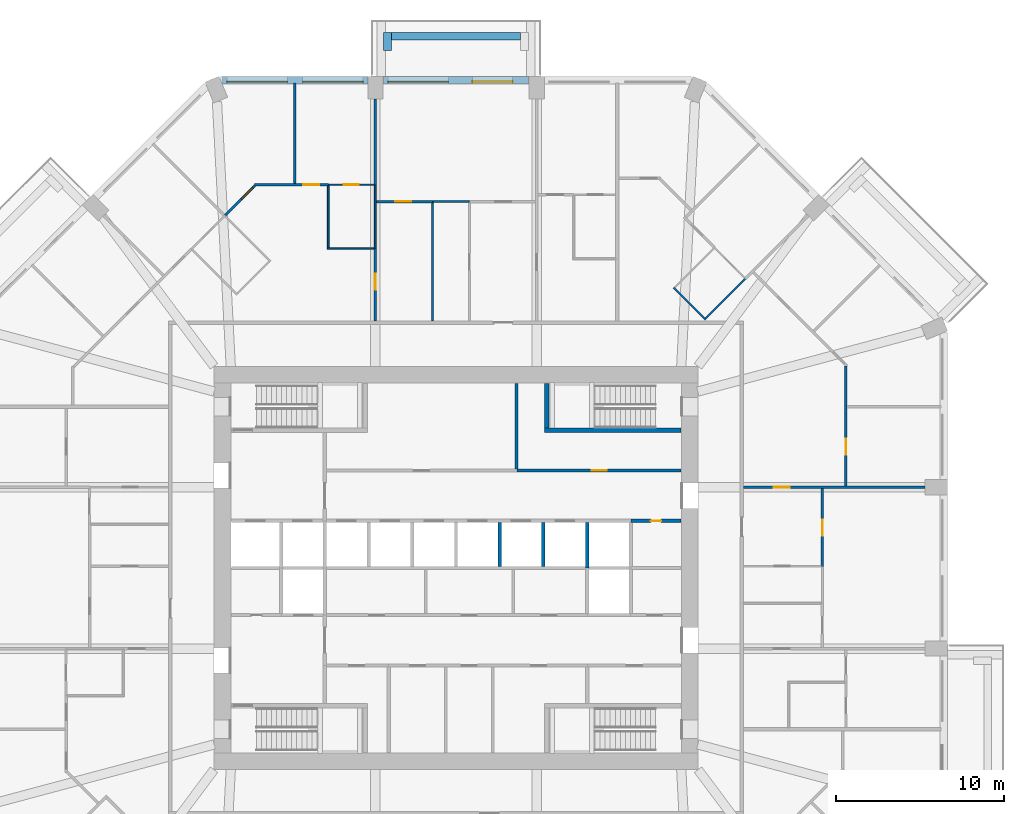
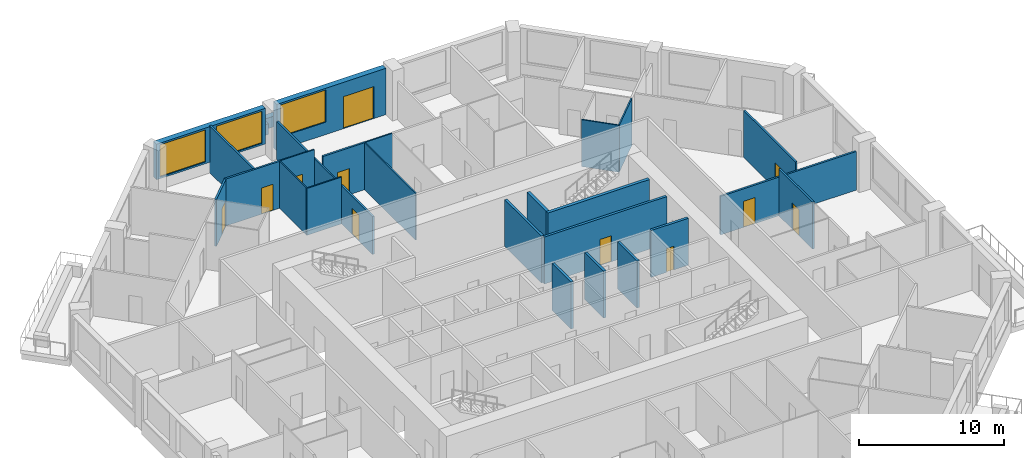
# One storey, part 9 of 13: 29 walls, 11 doors, 3 windows, 14 openings.
"""IFC4 building model written with IfcOpenShell, lengths in metres."""

from ifc_helpers import new_model, si_unit, direction, frame, frame_2d, origin, place, context, subcontext, project, spatial, rectangle, extrude, material, layer, layer_set, type_object, element, fill, save


model = new_model("IFC4")

# Units and contexts
model_context = context("Model", 3, precision=1e-05, world=origin(), true_north=direction((0.0, 1.0)))
body_context = subcontext(model_context, "Body", "Model", "MODEL_VIEW")
ifc_project = project(units=[si_unit("LENGTHUNIT", "METRE"), si_unit("AREAUNIT", "SQUARE_METRE"), si_unit("VOLUMEUNIT", "CUBIC_METRE"), si_unit("PLANEANGLEUNIT", "RADIAN"), si_unit("MASSUNIT", "GRAM", prefix="KILO")], contexts=[model_context])

# Site, building, storey
site_placement = place(None, origin())
site = spatial("IfcSite", under=ifc_project, at=site_placement, CompositionType="ELEMENT")
building_placement = place(site_placement, origin())
building = spatial("IfcBuilding", under=site, at=building_placement, Name="Msitu Wima Residences", CompositionType="ELEMENT")
storey_placement = place(building_placement, frame((0.0, 0.0, 54.89990234375)))
storey = spatial("IfcBuildingStorey", under=building, at=storey_placement, Name="L12", CompositionType="ELEMENT", Elevation=54.89990234375)

# Walls
ifc_material_1 = material(Name="Facing brick")
ifc_layer_1 = layer(ifc_material_1, 0.06494140625, Name="Facing brick")
ifc_material_2 = material(Name="Concrete C40/50", Category="concrete")
ifc_layer_2 = layer(ifc_material_2, 0.156005859375, Name="Concrete C40/50")
ifc_material_3 = material(Name="Waterproofing membrane")
ifc_layer_3 = layer(ifc_material_3, 0.00390625, Name="Waterproofing membrane")
ifc_material_4 = material(Name="Planting soil and planting")
ifc_layer_4 = layer(ifc_material_4, 0.22509765625, Name="Planting soil and planting")
ifc_layer_set_1 = layer_set([ifc_layer_1, ifc_layer_2, ifc_layer_3, ifc_layer_4], Name="Concrete C40/50")
wall_type_1 = type_object("IfcWallType", Name="Balcony planter PLANTER PL450", PredefinedType="USERDEFINED", material=ifc_layer_set_1)
wall_1_placement = place(storey_placement, frame((3.85009765625, 31.625, 0.0), z_axis=(0.0, 0.0, 1.0), x_axis=(-1.0, 0.0, 0.0)))
element("IfcWall", 1, at=wall_1_placement, inside=storey, type_object=wall_type_1, Name="Balcony planter N1 L12", ObjectType="PLANTER", PredefinedType="USERDEFINED", context=body_context, shape_type="SweptSolid", body=[
    extrude(rectangle(XDim=7.7001953125, YDim=0.449951171875, at=frame_2d((3.85009765625, 0.0))), origin(), (0.0, 0.0, 1.0), 0.900146484375),
])
wall_2_placement = place(storey_placement, frame((-4.074951171875, 30.800048828125, 0.0), z_axis=(0.0, 0.0, 1.0), x_axis=(0.0, 1.0, 0.0)))
element("IfcWall", 2, at=wall_2_placement, inside=storey, type_object=wall_type_1, Name="Balcony planter N1 L12", ObjectType="PLANTER", PredefinedType="USERDEFINED", context=body_context, shape_type="SweptSolid", body=[
    extrude(rectangle(XDim=1.050048828125, YDim=0.449951171875, at=frame_2d((0.52490234375, 0.0))), origin(), (0.0, 0.0, 1.0), 0.900146484375),
])

# Wall, openings, door, window
ifc_material_5 = material(Name="Brick (red buff mix)", Category="masonry")
ifc_layer_5 = layer(ifc_material_5, 0.449951171875)
ifc_layer_set_2 = layer_set([ifc_layer_5], Name="Brick (red buff mix)")
wall_type_2 = type_object("IfcWallType", Name="Brick infill wall BW450", PredefinedType="SOLIDWALL", material=ifc_layer_set_2)
wall_3_placement = place(storey_placement, frame((4.35009765625, 29.02490234375, 0.0), z_axis=(0.0, 0.0, 1.0), x_axis=(-1.0, 0.0, 0.0)))
wall_3 = element("IfcWall", 3, at=wall_3_placement, inside=storey, type_object=wall_type_2, Name="Brick infill wall L12 N1", PredefinedType="SOLIDWALL", context=body_context, shape_type="SweptSolid", body=[
    extrude(rectangle(XDim=8.7001953125, YDim=0.449951171875, at=frame_2d((4.35009765625, 0.0))), origin(), (0.0, 0.0, 1.0), 3.900146484375),
])
opening_1_placement = place(wall_3_placement, frame((0.97509765625, 0.0, 0.0)))
opening_1 = element("IfcOpeningElement", 4, at=opening_1_placement, cuts=wall_3, Name="Opening D11-12.002", PredefinedType="OPENING", context=body_context, shape_type="SweptSolid", body=[
    extrude(rectangle(XDim=2.39990234375, YDim=2.699951171875, at=frame_2d((1.199951171875, 1.35009765625))), frame((0.0, 0.23486328125, 0.0), z_axis=(0.0, -1.0, 0.0), x_axis=(1.0, 0.0, 0.0)), (0.0, 0.0, 1.0), 0.469970703125),
])
opening_2_placement = place(wall_3_placement, frame((4.800048828125, 0.0, 1.050048828125)))
opening_2 = element("IfcOpeningElement", 5, at=opening_2_placement, cuts=wall_3, Name="Opening W11-12.008", PredefinedType="OPENING", context=body_context, shape_type="SweptSolid", body=[
    extrude(rectangle(XDim=3.60009765625, YDim=2.699951171875, at=frame_2d((1.800048828125, 1.35009765625))), frame((0.0, 0.23486328125, 0.0), z_axis=(0.0, -1.0, 0.0), x_axis=(1.0, 0.0, 0.0)), (0.0, 0.0, 1.0), 0.469970703125),
])
ifc_material_6 = material(Name="Anodised aluminium, bronze finish, clear low-emissivity double glazing", Category="aluminium")
door_type_1 = type_object("IfcDoorType", Name="Balcony door D2400x2700", OperationType="SLIDING_TO_LEFT", PredefinedType="DOOR", material=ifc_material_6)
door_1_placement = place(opening_1_placement, origin())
door_1 = element("IfcDoor", 6, at=door_1_placement, inside=storey, type_object=door_type_1, Name="Balcony door L12 N1", OperationType="SINGLE_SWING_LEFT", OverallHeight=2.699951171875, OverallWidth=2.39990234375, PredefinedType="DOOR", context=body_context, shape_type="SweptSolid", body=[
    extrude(rectangle(XDim=2.39990234375, YDim=2.699951171875, at=frame_2d((1.199951171875, 1.35009765625))), frame((0.0, 0.1298828125, 0.0), z_axis=(0.0, -1.0, 0.0), x_axis=(1.0, 0.0, 0.0)), (0.0, 0.0, 1.0), 0.050048828125),
])
fill(opening_1, door_1)
window_type = type_object("IfcWindowType", Name="Window W3600x2700", PartitioningType="DOUBLE_PANEL_VERTICAL", PredefinedType="WINDOW", material=ifc_material_6)
window_1_placement = place(opening_2_placement, origin())
window_1 = element("IfcWindow", 7, at=window_1_placement, inside=storey, type_object=window_type, Name="Window L12 N1.2", OverallHeight=2.699951171875, OverallWidth=3.60009765625, PartitioningType="SINGLE_PANEL", PredefinedType="WINDOW", context=body_context, shape_type="SweptSolid", body=[
    extrude(rectangle(XDim=3.60009765625, YDim=2.699951171875, at=frame_2d((1.800048828125, 1.35009765625))), frame((0.0, 0.135009765625, 0.0), z_axis=(0.0, -1.0, 0.0), x_axis=(1.0, 0.0, 0.0)), (0.0, 0.0, 1.0), 0.06005859375),
])
fill(opening_2, window_1)

# Wall, openings, windows
wall_4_placement = place(storey_placement, frame((-5.25, 29.02490234375, 0.900146484375), z_axis=(0.0, 0.0, 1.0), x_axis=(-1.0, 0.0, 0.0)))
wall_4 = element("IfcWall", 8, at=wall_4_placement, inside=storey, type_object=wall_type_2, Name="Brick infill wall L12 N2", PredefinedType="SOLIDWALL", context=body_context, shape_type="SweptSolid", body=[
    extrude(rectangle(XDim=8.662841796875, YDim=0.449951171875, at=frame_2d((4.33154296875, 0.0))), origin(), (0.0, 0.0, 1.0), 3.0),
])
opening_3_placement = place(wall_4_placement, frame((0.281494140625, 0.0, 0.14990234375)))
opening_3 = element("IfcOpeningElement", 9, at=opening_3_placement, cuts=wall_4, Name="Opening W11-12.009", PredefinedType="OPENING", context=body_context, shape_type="SweptSolid", body=[
    extrude(rectangle(XDim=3.60009765625, YDim=2.699951171875, at=frame_2d((1.800048828125, 1.35009765625))), frame((0.0, 0.23486328125, 0.0), z_axis=(0.0, -1.0, 0.0), x_axis=(1.0, 0.0, 0.0)), (0.0, 0.0, 1.0), 0.469970703125),
])
opening_4_placement = place(wall_4_placement, frame((4.781494140625, 0.0, 0.14990234375)))
opening_4 = element("IfcOpeningElement", 10, at=opening_4_placement, cuts=wall_4, Name="Opening W11-12.010", PredefinedType="OPENING", context=body_context, shape_type="SweptSolid", body=[
    extrude(rectangle(XDim=3.60009765625, YDim=2.699951171875, at=frame_2d((1.800048828125, 1.35009765625))), frame((0.0, 0.23486328125, 0.0), z_axis=(0.0, -1.0, 0.0), x_axis=(1.0, 0.0, 0.0)), (0.0, 0.0, 1.0), 0.469970703125),
])
window_2_placement = place(opening_3_placement, origin())
window_2 = element("IfcWindow", 11, at=window_2_placement, inside=storey, type_object=window_type, Name="Window L12 N2.1", OverallHeight=2.699951171875, OverallWidth=3.60009765625, PartitioningType="SINGLE_PANEL", PredefinedType="WINDOW", context=body_context, shape_type="SweptSolid", body=[
    extrude(rectangle(XDim=3.60009765625, YDim=2.699951171875, at=frame_2d((1.800048828125, 1.35009765625))), frame((0.0, 0.135009765625, 0.0), z_axis=(0.0, -1.0, 0.0), x_axis=(1.0, 0.0, 0.0)), (0.0, 0.0, 1.0), 0.06005859375),
])
fill(opening_3, window_2)
window_3_placement = place(opening_4_placement, origin())
window_3 = element("IfcWindow", 12, at=window_3_placement, inside=storey, type_object=window_type, Name="Window L12 N2.2", OverallHeight=2.699951171875, OverallWidth=3.60009765625, PartitioningType="SINGLE_PANEL", PredefinedType="WINDOW", context=body_context, shape_type="SweptSolid", body=[
    extrude(rectangle(XDim=3.60009765625, YDim=2.699951171875, at=frame_2d((1.800048828125, 1.35009765625))), frame((0.0, 0.135009765625, 0.0), z_axis=(0.0, -1.0, 0.0), x_axis=(1.0, 0.0, 0.0)), (0.0, 0.0, 1.0), 0.06005859375),
])
fill(opening_4, window_3)

# Wall, opening, door
ifc_material_7 = material(Name="Plaster")
ifc_layer_6 = layer(ifc_material_7, 0.011962890625, Name="Plaster")
ifc_material_8 = material(Name="Concrete blockwork", Category="masonry")
ifc_layer_7 = layer(ifc_material_8, 0.1259765625, Name="Concrete blockwork")
ifc_layer_8 = layer(ifc_material_7, 0.011962890625, Name="Plaster")
ifc_layer_set_3 = layer_set([ifc_layer_6, ifc_layer_7, ifc_layer_8], Name="Concrete blockwork")
wall_type_3 = type_object("IfcWallType", Name="Partition PW150", PredefinedType="PARTITIONING", material=ifc_layer_set_3)
wall_5_placement = place(storey_placement, frame((-13.7431640625, 20.971435546875, 0.0), z_axis=(0.0, 0.0, 1.0), x_axis=(0.707058164405, 0.707155394626, 0.0)))
wall_5 = element("IfcWall", 13, at=wall_5_placement, inside=storey, type_object=wall_type_3, Name="Partition", PredefinedType="PARTITIONING", context=body_context, shape_type="SweptSolid", body=[
    extrude(rectangle(XDim=2.510986328125, YDim=0.14990234375, at=frame_2d((1.25537109375, 0.0))), origin(), (0.0, 0.0, 1.0), 3.9501953125),
])
opening_5_placement = place(wall_5_placement, frame((1.39990234375, 0.0, 0.0)))
opening_5 = element("IfcOpeningElement", 14, at=opening_5_placement, cuts=wall_5, Name="Opening D11-12.056", PredefinedType="OPENING", context=body_context, shape_type="SweptSolid", body=[
    extrude(rectangle(XDim=0.949951171875, YDim=2.199951171875, at=frame_2d((0.47509765625, 1.10009765625))), frame((0.0, 0.0849609375, 0.0), z_axis=(0.0, -1.0, 0.0), x_axis=(1.0, 0.0, 0.0)), (0.0, 0.0, 1.0), 0.169921875),
])
ifc_material_9 = material(Name="Timber flush door", Category="wood")
door_type_2 = type_object("IfcDoorType", Name="Room door D12 950x2200", OperationType="SINGLE_SWING_LEFT", PredefinedType="DOOR", material=ifc_material_9)
door_2_placement = place(opening_5_placement, origin())
door_2 = element("IfcDoor", 15, at=door_2_placement, inside=storey, type_object=door_type_2, Name="Room door", OperationType="SINGLE_SWING_LEFT", OverallHeight=2.199951171875, OverallWidth=0.949951171875, PredefinedType="DOOR", context=body_context, shape_type="SweptSolid", body=[
    extrude(rectangle(XDim=0.949951171875, YDim=2.199951171875, at=frame_2d((0.47509765625, 1.10009765625))), frame((0.0, 0.02490234375, 0.0), z_axis=(0.0, -1.0, 0.0), x_axis=(1.0, 0.0, 0.0)), (0.0, 0.0, 1.0), 0.050048828125),
])
fill(opening_5, door_2)

wall_6_placement = place(storey_placement, frame((-11.98974609375, 22.800048828125, 0.0), z_axis=(0.0, 0.0, 1.0), x_axis=(1.0, 0.0, 0.0)))
wall_6 = element("IfcWall", 16, at=wall_6_placement, inside=storey, type_object=wall_type_3, Name="Partition", PredefinedType="PARTITIONING", context=body_context, shape_type="SweptSolid", body=[
    extrude(rectangle(XDim=4.40966796875, YDim=0.14990234375, at=frame_2d((2.204833984375, 0.0))), origin(), (0.0, 0.0, 1.0), 3.9501953125),
])
opening_6_placement = place(wall_6_placement, frame((2.89990234375, 0.0, 0.0)))
opening_6 = element("IfcOpeningElement", 17, at=opening_6_placement, cuts=wall_6, Name="Opening D11-12.053", PredefinedType="OPENING", context=body_context, shape_type="SweptSolid", body=[
    extrude(rectangle(XDim=0.949951171875, YDim=2.199951171875, at=frame_2d((0.47509765625, 1.10009765625))), frame((0.0, 0.0849609375, 0.0), z_axis=(0.0, -1.0, 0.0), x_axis=(1.0, 0.0, 0.0)), (0.0, 0.0, 1.0), 0.169921875),
])
door_3_placement = place(opening_6_placement, origin())
door_3 = element("IfcDoor", 18, at=door_3_placement, inside=storey, type_object=door_type_2, Name="Room door", OperationType="SINGLE_SWING_LEFT", OverallHeight=2.199951171875, OverallWidth=0.949951171875, PredefinedType="DOOR", context=body_context, shape_type="SweptSolid", body=[
    extrude(rectangle(XDim=0.949951171875, YDim=2.199951171875, at=frame_2d((0.47509765625, 1.10009765625))), frame((0.0, 0.02490234375, 0.0), z_axis=(0.0, -1.0, 0.0), x_axis=(1.0, 0.0, 0.0)), (0.0, 0.0, 1.0), 0.050048828125),
])
fill(opening_6, door_3)

# Wall
wall_7_placement = place(storey_placement, frame((-9.60009765625, 22.875, 0.0), z_axis=(0.0, 0.0, 1.0), x_axis=(0.0, 1.0, 0.0)))
element("IfcWall", 19, at=wall_7_placement, inside=storey, type_object=wall_type_3, Name="Partition", PredefinedType="PARTITIONING", context=body_context, shape_type="SweptSolid", body=[
    extrude(rectangle(XDim=5.97998046875, YDim=0.14990234375, at=frame_2d((2.989990234375, 0.0))), origin(), (0.0, 0.0, 1.0), 3.9501953125),
])

# Wall, opening, door
wall_8_placement = place(storey_placement, frame((-4.800048828125, 14.699951171875, 0.0), z_axis=(0.0, 0.0, 1.0), x_axis=(0.0, 1.0, 0.0)))
wall_8 = element("IfcWall", 20, at=wall_8_placement, inside=storey, type_object=wall_type_3, Name="Partition", PredefinedType="PARTITIONING", context=body_context, shape_type="SweptSolid", body=[
    extrude(rectangle(XDim=4.320068359375, YDim=0.14990234375, at=frame_2d((2.16015625, 0.0))), origin(), (0.0, 0.0, 1.0), 3.2001953125),
])
opening_7_placement = place(wall_8_placement, frame((1.85009765625, 0.0, 0.0)))
opening_7 = element("IfcOpeningElement", 21, at=opening_7_placement, cuts=wall_8, Name="Opening D11-12.049", PredefinedType="OPENING", context=body_context, shape_type="SweptSolid", body=[
    extrude(rectangle(XDim=0.949951171875, YDim=2.199951171875, at=frame_2d((0.47509765625, 1.10009765625))), frame((0.0, 0.0849609375, 0.0), z_axis=(0.0, -1.0, 0.0), x_axis=(1.0, 0.0, 0.0)), (0.0, 0.0, 1.0), 0.169921875),
])
door_4_placement = place(opening_7_placement, origin())
door_4 = element("IfcDoor", 22, at=door_4_placement, inside=storey, type_object=door_type_2, Name="Room door", OperationType="SINGLE_SWING_RIGHT", OverallHeight=2.199951171875, OverallWidth=0.949951171875, PredefinedType="DOOR", context=body_context, shape_type="SweptSolid", body=[
    extrude(rectangle(XDim=0.949951171875, YDim=2.199951171875, at=frame_2d((0.47509765625, 1.10009765625))), frame((0.0, 0.02490234375, 0.0), z_axis=(0.0, -1.0, 0.0), x_axis=(1.0, 0.0, 0.0)), (0.0, 0.0, 1.0), 0.050048828125),
])
fill(opening_7, door_4)

wall_9_placement = place(storey_placement, frame((-4.75, 21.800048828125, 0.0), z_axis=(0.0, 0.0, 1.0), x_axis=(1.0, 0.0, 0.0)))
wall_9 = element("IfcWall", 23, at=wall_9_placement, inside=storey, type_object=wall_type_3, Name="Partition", PredefinedType="PARTITIONING", context=body_context, shape_type="SweptSolid", body=[
    extrude(rectangle(XDim=3.3701171875, YDim=0.14990234375, at=frame_2d((1.68505859375, 0.0))), origin(), (0.0, 0.0, 1.0), 3.9501953125),
])
opening_8_placement = place(wall_9_placement, frame((1.14990234375, 0.0, 0.0)))
opening_8 = element("IfcOpeningElement", 24, at=opening_8_placement, cuts=wall_9, Name="Opening D11-12.047", PredefinedType="OPENING", context=body_context, shape_type="SweptSolid", body=[
    extrude(rectangle(XDim=0.949951171875, YDim=2.199951171875, at=frame_2d((0.47509765625, 1.10009765625))), frame((0.0, 0.0849609375, 0.0), z_axis=(0.0, -1.0, 0.0), x_axis=(1.0, 0.0, 0.0)), (0.0, 0.0, 1.0), 0.169921875),
])
door_5_placement = place(opening_8_placement, origin())
door_5 = element("IfcDoor", 25, at=door_5_placement, inside=storey, type_object=door_type_2, Name="Room door", OperationType="SINGLE_SWING_LEFT", OverallHeight=2.199951171875, OverallWidth=0.949951171875, PredefinedType="DOOR", context=body_context, shape_type="SweptSolid", body=[
    extrude(rectangle(XDim=0.949951171875, YDim=2.199951171875, at=frame_2d((0.47509765625, 1.10009765625))), frame((0.0, 0.02490234375, 0.0), z_axis=(0.0, -1.0, 0.0), x_axis=(1.0, 0.0, 0.0)), (0.0, 0.0, 1.0), 0.050048828125),
])
fill(opening_8, door_5)

# Wall
wall_10_placement = place(storey_placement, frame((-4.800048828125, 22.780029296875, 0.0), z_axis=(0.0, 0.0, 1.0), x_axis=(0.0, 1.0, 0.0)))
element("IfcWall", 26, at=wall_10_placement, inside=storey, type_object=wall_type_3, Name="Partition", PredefinedType="PARTITIONING", context=body_context, shape_type="SweptSolid", body=[
    extrude(rectangle(XDim=5.119873046875, YDim=0.14990234375, at=frame_2d((2.56005859375, 0.0))), origin(), (0.0, 0.0, 1.0), 3.2001953125),
])

# Wall, opening, door
wall_11_placement = place(storey_placement, frame((17.10009765625, 4.800048828125, 0.0), z_axis=(0.0, 0.0, 1.0), x_axis=(1.0, 0.0, 0.0)))
wall_11 = element("IfcWall", 27, at=wall_11_placement, inside=storey, type_object=wall_type_3, Name="Partition", PredefinedType="PARTITIONING", context=body_context, shape_type="SweptSolid", body=[
    extrude(rectangle(XDim=10.7998046875, YDim=0.14990234375, at=frame_2d((5.39990234375, 0.0))), origin(), (0.0, 0.0, 1.0), 3.25),
])
opening_9_placement = place(wall_11_placement, frame((1.800048828125, 0.0, 0.0)))
opening_9 = element("IfcOpeningElement", 28, at=opening_9_placement, cuts=wall_11, Name="Opening D11-12.059", PredefinedType="OPENING", context=body_context, shape_type="SweptSolid", body=[
    extrude(rectangle(XDim=0.949951171875, YDim=2.199951171875, at=frame_2d((0.47509765625, 1.10009765625))), frame((0.0, 0.0849609375, 0.0), z_axis=(0.0, -1.0, 0.0), x_axis=(1.0, 0.0, 0.0)), (0.0, 0.0, 1.0), 0.169921875),
])
door_6_placement = place(opening_9_placement, origin())
door_6 = element("IfcDoor", 29, at=door_6_placement, inside=storey, type_object=door_type_2, Name="Room door", OperationType="SINGLE_SWING_LEFT", OverallHeight=2.199951171875, OverallWidth=0.949951171875, PredefinedType="DOOR", context=body_context, shape_type="SweptSolid", body=[
    extrude(rectangle(XDim=0.949951171875, YDim=2.199951171875, at=frame_2d((0.47509765625, 1.10009765625))), frame((0.0, 0.02490234375, 0.0), z_axis=(0.0, -1.0, 0.0), x_axis=(1.0, 0.0, 0.0)), (0.0, 0.0, 1.0), 0.050048828125),
])
fill(opening_9, door_6)

wall_12_placement = place(storey_placement, frame((21.800048828125, 0.080078125, 0.0), z_axis=(0.0, 0.0, 1.0), x_axis=(0.0, 1.0, 0.0)))
wall_12 = element("IfcWall", 30, at=wall_12_placement, inside=storey, type_object=wall_type_3, Name="Partition", PredefinedType="PARTITIONING", context=body_context, shape_type="SweptSolid", body=[
    extrude(rectangle(XDim=4.64501953125, YDim=0.14990234375, at=frame_2d((2.322509765625, 0.0))), origin(), (0.0, 0.0, 1.0), 3.9501953125),
])
opening_10_placement = place(wall_12_placement, frame((1.85009765625, 0.0, 0.0)))
opening_10 = element("IfcOpeningElement", 31, at=opening_10_placement, cuts=wall_12, Name="Opening D11-12.037", PredefinedType="OPENING", context=body_context, shape_type="SweptSolid", body=[
    extrude(rectangle(XDim=0.949951171875, YDim=2.199951171875, at=frame_2d((0.47509765625, 1.10009765625))), frame((0.0, 0.0849609375, 0.0), z_axis=(0.0, -1.0, 0.0), x_axis=(1.0, 0.0, 0.0)), (0.0, 0.0, 1.0), 0.169921875),
])
door_7_placement = place(opening_10_placement, origin())
door_7 = element("IfcDoor", 32, at=door_7_placement, inside=storey, type_object=door_type_2, Name="Room door", OperationType="SINGLE_SWING_LEFT", OverallHeight=2.199951171875, OverallWidth=0.949951171875, PredefinedType="DOOR", context=body_context, shape_type="SweptSolid", body=[
    extrude(rectangle(XDim=0.949951171875, YDim=2.199951171875, at=frame_2d((0.47509765625, 1.10009765625))), frame((0.0, 0.02490234375, 0.0), z_axis=(0.0, -1.0, 0.0), x_axis=(1.0, 0.0, 0.0)), (0.0, 0.0, 1.0), 0.050048828125),
])
fill(opening_10, door_7)

wall_13_placement = place(storey_placement, frame((23.199951171875, 4.875, 0.0), z_axis=(0.0, 0.0, 1.0), x_axis=(0.0, 1.0, 0.0)))
wall_13 = element("IfcWall", 33, at=wall_13_placement, inside=storey, type_object=wall_type_3, Name="Partition", PredefinedType="PARTITIONING", context=body_context, shape_type="SweptSolid", body=[
    extrude(rectangle(XDim=7.13037109375, YDim=0.14990234375, at=frame_2d((3.565185546875, 0.0))), origin(), (0.0, 0.0, 1.0), 3.9501953125),
])
opening_11_placement = place(wall_13_placement, frame((1.85009765625, 0.0, 0.0)))
opening_11 = element("IfcOpeningElement", 34, at=opening_11_placement, cuts=wall_13, Name="Opening D11-12.070", PredefinedType="OPENING", context=body_context, shape_type="SweptSolid", body=[
    extrude(rectangle(XDim=0.949951171875, YDim=2.199951171875, at=frame_2d((0.47509765625, 1.10009765625))), frame((0.0, 0.0849609375, 0.0), z_axis=(0.0, -1.0, 0.0), x_axis=(1.0, 0.0, 0.0)), (0.0, 0.0, 1.0), 0.169921875),
])
door_8_placement = place(opening_11_placement, origin())
door_8 = element("IfcDoor", 35, at=door_8_placement, inside=storey, type_object=door_type_2, Name="Room door", OperationType="SINGLE_SWING_RIGHT", OverallHeight=2.199951171875, OverallWidth=0.949951171875, PredefinedType="DOOR", context=body_context, shape_type="SweptSolid", body=[
    extrude(rectangle(XDim=0.949951171875, YDim=2.199951171875, at=frame_2d((0.47509765625, 1.10009765625))), frame((0.0, 0.02490234375, 0.0), z_axis=(0.0, -1.0, 0.0), x_axis=(1.0, 0.0, 0.0)), (0.0, 0.0, 1.0), 0.050048828125),
])
fill(opening_11, door_8)

ifc_layer_9 = layer(ifc_material_7, 0.011962890625, Name="Plaster")
ifc_material_10 = material(Name="Reinforced concrete blockwork", Category="masonry")
ifc_layer_10 = layer(ifc_material_10, 0.176025390625, Name="Reinforced concrete blockwork")
ifc_layer_11 = layer(ifc_material_7, 0.011962890625, Name="Plaster")
ifc_layer_set_4 = layer_set([ifc_layer_9, ifc_layer_10, ifc_layer_11], Name="Reinforced concrete blockwork")
wall_type_4 = type_object("IfcWallType", Name="Plant and riser wall PL200", PredefinedType="PARTITIONING", material=ifc_layer_set_4)
wall_14_placement = place(storey_placement, frame((3.6201171875, 5.800048828125, 0.0), z_axis=(0.0, 0.0, 1.0), x_axis=(1.0, 0.0, 0.0)))
wall_14 = element("IfcWall", 36, at=wall_14_placement, inside=storey, type_object=wall_type_4, Name="Plant and riser wall", PredefinedType="PARTITIONING", context=body_context, shape_type="SweptSolid", body=[
    extrude(rectangle(XDim=9.75, YDim=0.199951171875, at=frame_2d((4.875, 0.0))), origin(), (0.0, 0.0, 1.0), 3.9501953125),
])
opening_12_placement = place(wall_14_placement, frame((4.449951171875, 0.0, 0.0)))
opening_12 = element("IfcOpeningElement", 37, at=opening_12_placement, cuts=wall_14, Name="Opening D11-12.018", PredefinedType="OPENING", context=body_context, shape_type="SweptSolid", body=[
    extrude(rectangle(XDim=0.89990234375, YDim=2.199951171875, at=frame_2d((0.449951171875, 1.10009765625))), frame((0.0, 0.10986328125, 0.0), z_axis=(0.0, -1.0, 0.0), x_axis=(1.0, 0.0, 0.0)), (0.0, 0.0, 1.0), 0.219970703125),
])
door_type_3 = type_object("IfcDoorType", Name="Service door D05 900x2200", OperationType="SINGLE_SWING_LEFT", PredefinedType="DOOR", material=ifc_material_9)
door_9_placement = place(opening_12_placement, origin())
door_9 = element("IfcDoor", 38, at=door_9_placement, inside=storey, type_object=door_type_3, Name="Service door", OperationType="SINGLE_SWING_RIGHT", OverallHeight=2.199951171875, OverallWidth=0.89990234375, PredefinedType="DOOR", context=body_context, shape_type="SweptSolid", body=[
    extrude(rectangle(XDim=0.89990234375, YDim=2.199951171875, at=frame_2d((0.449951171875, 1.10009765625))), frame((0.0, 0.02490234375, 0.0), z_axis=(0.0, -1.0, 0.0), x_axis=(1.0, 0.0, 0.0)), (0.0, 0.0, 1.0), 0.050048828125),
])
fill(opening_12, door_9)

# Wall
wall_15_placement = place(storey_placement, frame((3.60009765625, 5.89990234375, 0.0), z_axis=(0.0, 0.0, 1.0), x_axis=(0.0, 1.0, 0.0)))
element("IfcWall", 39, at=wall_15_placement, inside=storey, type_object=wall_type_4, Name="Plant and riser wall", PredefinedType="PARTITIONING", context=body_context, shape_type="SweptSolid", body=[
    extrude(rectangle(XDim=5.070068359375, YDim=0.199951171875, at=frame_2d((2.53515625, 0.0))), origin(), (0.0, 0.0, 1.0), 3.9501953125),
])

# Wall, opening, door
wall_16_placement = place(storey_placement, frame((10.39990234375, 2.800048828125, 0.0), z_axis=(0.0, 0.0, 1.0), x_axis=(1.0, 0.0, 0.0)))
wall_16 = element("IfcWall", 40, at=wall_16_placement, inside=storey, type_object=wall_type_4, Name="Plant and riser wall", PredefinedType="PARTITIONING", context=body_context, shape_type="SweptSolid", body=[
    extrude(rectangle(XDim=2.97021484375, YDim=0.199951171875, at=frame_2d((1.485107421875, 0.0))), origin(), (0.0, 0.0, 1.0), 3.9501953125),
])
opening_13_placement = place(wall_16_placement, frame((1.199951171875, 0.0, 0.0)))
opening_13 = element("IfcOpeningElement", 41, at=opening_13_placement, cuts=wall_16, Name="Opening D11-12.026", PredefinedType="OPENING", context=body_context, shape_type="SweptSolid", body=[
    extrude(rectangle(XDim=0.60009765625, YDim=2.0, at=frame_2d((0.300048828125, 1.0))), frame((0.0, 0.10986328125, 0.0), z_axis=(0.0, -1.0, 0.0), x_axis=(1.0, 0.0, 0.0)), (0.0, 0.0, 1.0), 0.219970703125),
])
ifc_material_11 = material(Name="Steel access door, fire resisting", Category="steel")
door_type_4 = type_object("IfcDoorType", Name="Riser access door D08 600x2000", OperationType="SINGLE_SWING_LEFT", PredefinedType="DOOR", material=ifc_material_11)
door_10_placement = place(opening_13_placement, origin())
door_10 = element("IfcDoor", 42, at=door_10_placement, inside=storey, type_object=door_type_4, Name="Riser access door", OperationType="SINGLE_SWING_RIGHT", OverallHeight=2.0, OverallWidth=0.60009765625, PredefinedType="DOOR", context=body_context, shape_type="SweptSolid", body=[
    extrude(rectangle(XDim=0.60009765625, YDim=2.0, at=frame_2d((0.300048828125, 1.0))), frame((0.0, 0.02490234375, 0.0), z_axis=(0.0, -1.0, 0.0), x_axis=(1.0, 0.0, 0.0)), (0.0, 0.0, 1.0), 0.050048828125),
])
fill(opening_13, door_10)

# Walls
ifc_material_12 = material(Name="Fire-rated board")
ifc_layer_12 = layer(ifc_material_12, 0.02490234375, Name="Fire-rated board")
ifc_material_13 = material(Name="Light-gauge stud framing with mineral wool")
ifc_layer_13 = layer(ifc_material_13, 0.14990234375, Name="Light-gauge stud framing with mineral wool")
ifc_layer_14 = layer(ifc_material_12, 0.02490234375, Name="Fire-rated board")
ifc_layer_set_5 = layer_set([ifc_layer_12, ifc_layer_13, ifc_layer_14], Name="Light-gauge stud framing with mineral wool")
wall_type_5 = type_object("IfcWallType", Name="Shaft wall SH200", PredefinedType="PARTITIONING", material=ifc_layer_set_5)
for number, where, z_axis, x_axis, name in (
    (43, (2.60009765625, 0.10009765625, 0.0), (0.0, 0.0, 1.0), (0.0, 1.0, 0.0), "Shaft wall"),
    (44, (5.199951171875, 0.10009765625, 0.0), (0.0, 0.0, 1.0), (0.0, 1.0, 0.0), "Shaft wall"),
):
    element("IfcWall", number, at=place(storey_placement, frame(where, z_axis=z_axis, x_axis=x_axis)), inside=storey, type_object=wall_type_5, Name=name, PredefinedType="PARTITIONING", context=body_context, shape_type="SweptSolid", body=[
        extrude(rectangle(XDim=2.599853515625, YDim=0.199951171875, at=frame_2d((1.2998046875, 0.0))), origin(), (0.0, 0.0, 1.0), 3.9501953125),
    ])
wall_17_placement = place(storey_placement, frame((7.800048828125, 0.0, 0.0), z_axis=(0.0, 0.0, 1.0), x_axis=(0.0, 1.0, 0.0)))
element("IfcWall", 45, at=wall_17_placement, inside=storey, type_object=wall_type_5, Name="Shaft wall", PredefinedType="PARTITIONING", context=body_context, shape_type="SweptSolid", body=[
    extrude(rectangle(XDim=2.699951171875, YDim=0.199951171875, at=frame_2d((1.35009765625, 0.0))), origin(), (0.0, 0.0, 1.0), 3.9501953125),
])
ifc_material_14 = material(Name="Concrete C50/60", Category="concrete")
ifc_layer_15 = layer(ifc_material_14, 0.25)
ifc_layer_set_6 = layer_set([ifc_layer_15], Name="Concrete C50/60")
wall_type_6 = type_object("IfcWallType", Name="Stair enclosure wall SW250", PredefinedType="SHEAR", material=ifc_layer_set_6)
wall_18_placement = place(storey_placement, frame((5.39990234375, 8.324951171875, 0.0), z_axis=(0.0, 0.0, 1.0), x_axis=(0.0, 1.0, 0.0)))
element("IfcWall", 46, at=wall_18_placement, inside=storey, type_object=wall_type_6, Name="Stair enclosure wall", PredefinedType="SHEAR", context=body_context, shape_type="SweptSolid", body=[
    extrude(rectangle(XDim=2.64501953125, YDim=0.25, at=frame_2d((1.322509765625, 0.0))), origin(), (0.0, 0.0, 1.0), 3.9501953125),
])
wall_19_placement = place(storey_placement, frame((5.27490234375, 8.199951171875, 0.0), z_axis=(0.0, 0.0, 1.0), x_axis=(1.0, 0.0, 0.0)))
element("IfcWall", 47, at=wall_19_placement, inside=storey, type_object=wall_type_6, Name="Stair enclosure wall", PredefinedType="SHEAR", context=body_context, shape_type="SweptSolid", body=[
    extrude(rectangle(XDim=8.09521484375, YDim=0.25, at=frame_2d((4.047607421875, 0.0))), origin(), (0.0, 0.0, 1.0), 3.9501953125),
])

# Wall, opening, door
ifc_material_15 = material(Name="Ceramic tiles")
ifc_layer_16 = layer(ifc_material_15, 0.008056640625, Name="Ceramic tiles")
ifc_material_16 = material(Name="Moisture-resistant board")
ifc_layer_17 = layer(ifc_material_16, 0.012451171875, Name="Moisture-resistant board")
ifc_layer_18 = layer(ifc_material_13, 0.06689453125, Name="Light-gauge stud framing with mineral wool")
ifc_layer_19 = layer(ifc_material_16, 0.012451171875, Name="Moisture-resistant board")
ifc_layer_set_7 = layer_set([ifc_layer_16, ifc_layer_17, ifc_layer_18, ifc_layer_19], Name="Light-gauge stud framing with mineral wool")
wall_type_7 = type_object("IfcWallType", Name="Wet wall PW100", PredefinedType="PARTITIONING", material=ifc_layer_set_7)
wall_20_placement = place(storey_placement, frame((-7.580078125, 22.800048828125, 0.0), z_axis=(0.0, 0.0, 1.0), x_axis=(1.0, 0.0, 0.0)))
wall_20 = element("IfcWall", 48, at=wall_20_placement, inside=storey, type_object=wall_type_7, Name="Wet wall", PredefinedType="PARTITIONING", context=body_context, shape_type="SweptSolid", body=[
    extrude(rectangle(XDim=2.72998046875, YDim=0.10009765625, at=frame_2d((1.364990234375, 0.0))), origin(), (0.0, 0.0, 1.0), 3.9501953125),
])
opening_14_placement = place(wall_20_placement, frame((0.89990234375, 0.0, 0.0)))
opening_14 = element("IfcOpeningElement", 49, at=opening_14_placement, cuts=wall_20, Name="Opening D11-12.054", PredefinedType="OPENING", context=body_context, shape_type="SweptSolid", body=[
    extrude(rectangle(XDim=0.89990234375, YDim=2.199951171875, at=frame_2d((0.449951171875, 1.10009765625))), frame((0.0, 0.06005859375, 0.0), z_axis=(0.0, -1.0, 0.0), x_axis=(1.0, 0.0, 0.0)), (0.0, 0.0, 1.0), 0.1201171875),
])
ifc_material_17 = material(Name="Timber flush door, moisture resistant", Category="wood")
door_type_5 = type_object("IfcDoorType", Name="Bathroom door D03 900x2200", OperationType="SINGLE_SWING_LEFT", PredefinedType="DOOR", material=ifc_material_17)
door_11_placement = place(opening_14_placement, origin())
door_11 = element("IfcDoor", 50, at=door_11_placement, inside=storey, type_object=door_type_5, Name="Bathroom door", OperationType="SINGLE_SWING_RIGHT", OverallHeight=2.199951171875, OverallWidth=0.89990234375, PredefinedType="DOOR", context=body_context, shape_type="SweptSolid", body=[
    extrude(rectangle(XDim=0.89990234375, YDim=2.199951171875, at=frame_2d((0.449951171875, 1.10009765625))), frame((0.0, 0.02490234375, 0.0), z_axis=(0.0, -1.0, 0.0), x_axis=(1.0, 0.0, 0.0)), (0.0, 0.0, 1.0), 0.050048828125),
])
fill(opening_14, door_11)

# Walls
wall_21_placement = place(storey_placement, frame((-7.60009765625, 19.050048828125, 0.0), z_axis=(0.0, 0.0, 1.0), x_axis=(0.0, 1.0, 0.0)))
element("IfcWall", 51, at=wall_21_placement, inside=storey, type_object=wall_type_7, Name="Wet wall", PredefinedType="PARTITIONING", context=body_context, shape_type="SweptSolid", body=[
    extrude(rectangle(XDim=3.675048828125, YDim=0.10009765625, at=frame_2d((1.83740234375, 0.0))), origin(), (0.0, 0.0, 1.0), 3.9501953125),
])
wall_22_placement = place(storey_placement, frame((-7.64990234375, 19.0, 0.0), z_axis=(0.0, 0.0, 1.0), x_axis=(1.0, 0.0, 0.0)))
element("IfcWall", 52, at=wall_22_placement, inside=storey, type_object=wall_type_7, Name="Wet wall", PredefinedType="PARTITIONING", context=body_context, shape_type="SweptSolid", body=[
    extrude(rectangle(XDim=2.77490234375, YDim=0.10009765625, at=frame_2d((1.387451171875, 0.0))), origin(), (0.0, 0.0, 1.0), 3.9501953125),
])
wall_23_placement = place(storey_placement, frame((-4.800048828125, 19.02001953125, 0.0), z_axis=(0.0, 0.0, 1.0), x_axis=(0.0, 1.0, 0.0)))
element("IfcWall", 53, at=wall_23_placement, inside=storey, type_object=wall_type_7, Name="Wet wall", PredefinedType="PARTITIONING", context=body_context, shape_type="SweptSolid", body=[
    extrude(rectangle(XDim=3.760009765625, YDim=0.10009765625, at=frame_2d((1.8798828125, 0.0))), origin(), (0.0, 0.0, 1.0), 3.2001953125),
])
wall_24_placement = place(storey_placement, frame((-1.3798828125, 21.800048828125, 0.0), z_axis=(0.0, 0.0, 1.0), x_axis=(1.0, 0.0, 0.0)))
element("IfcWall", 54, at=wall_24_placement, inside=storey, type_object=wall_type_7, Name="Wet wall", PredefinedType="PARTITIONING", context=body_context, shape_type="SweptSolid", body=[
    extrude(rectangle(XDim=2.159912109375, YDim=0.10009765625, at=frame_2d((1.080078125, 0.0))), origin(), (0.0, 0.0, 1.0), 3.9501953125),
])
wall_25_placement = place(storey_placement, frame((-1.39990234375, 14.699951171875, 0.0), z_axis=(0.0, 0.0, 1.0), x_axis=(0.0, 1.0, 0.0)))
element("IfcWall", 55, at=wall_25_placement, inside=storey, type_object=wall_type_7, Name="Wet wall", PredefinedType="PARTITIONING", context=body_context, shape_type="SweptSolid", body=[
    extrude(rectangle(XDim=7.025146484375, YDim=0.10009765625, at=frame_2d((3.5126953125, 0.0))), origin(), (0.0, 0.0, 1.0), 3.9501953125),
])
wall_26_placement = place(storey_placement, frame((12.93798828125, 16.685546875, 0.0), z_axis=(0.0, 0.0, 1.0), x_axis=(0.707106781187, -0.707106781187, 0.0)))
element("IfcWall", 56, at=wall_26_placement, inside=storey, type_object=wall_type_7, Name="Wet wall", PredefinedType="PARTITIONING", context=body_context, shape_type="SweptSolid", body=[
    extrude(rectangle(XDim=2.699951171875, YDim=0.10009765625, at=frame_2d((1.35009765625, 0.0))), origin(), (0.0, 0.0, 1.0), 3.9501953125),
])
wall_27_placement = place(storey_placement, frame((14.84716796875, 14.84716796875, 0.0), z_axis=(0.0, 0.0, 1.0), x_axis=(0.707106781187, 0.707106781187, 0.0)))
element("IfcWall", 57, at=wall_27_placement, inside=storey, type_object=wall_type_7, Name="Wet wall", PredefinedType="PARTITIONING", context=body_context, shape_type="SweptSolid", body=[
    extrude(rectangle(XDim=3.330078125, YDim=0.10009765625, at=frame_2d((1.6650390625, 0.0))), origin(), (0.0, 0.0, 1.0), 3.9501953125),
])

save(model, "model.ifc")
